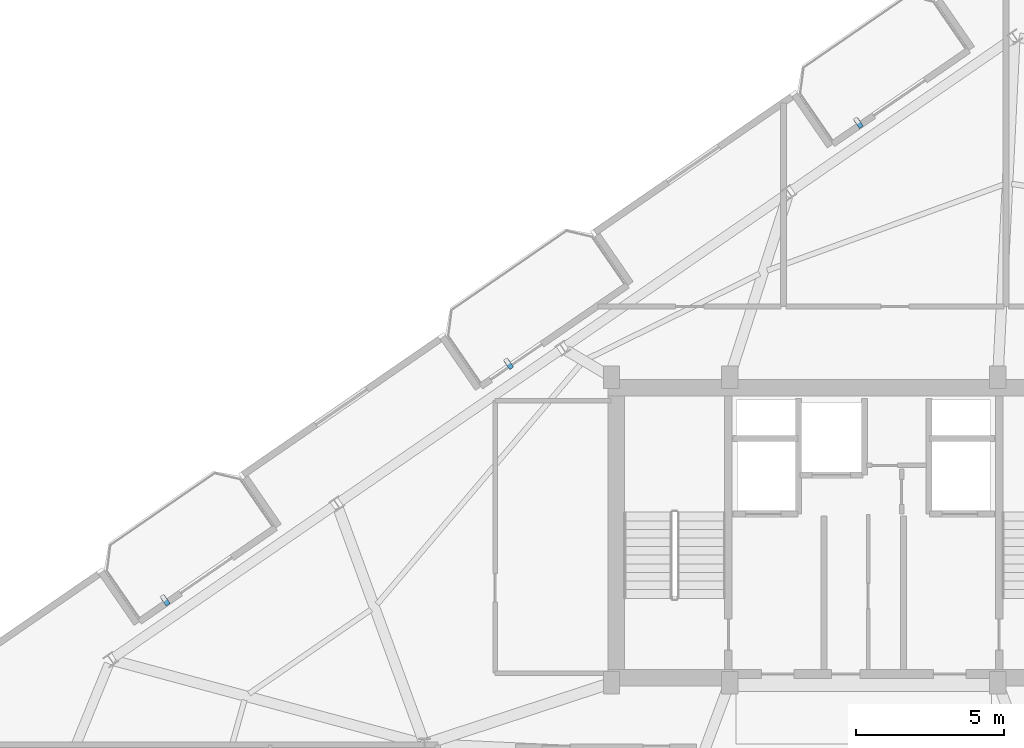
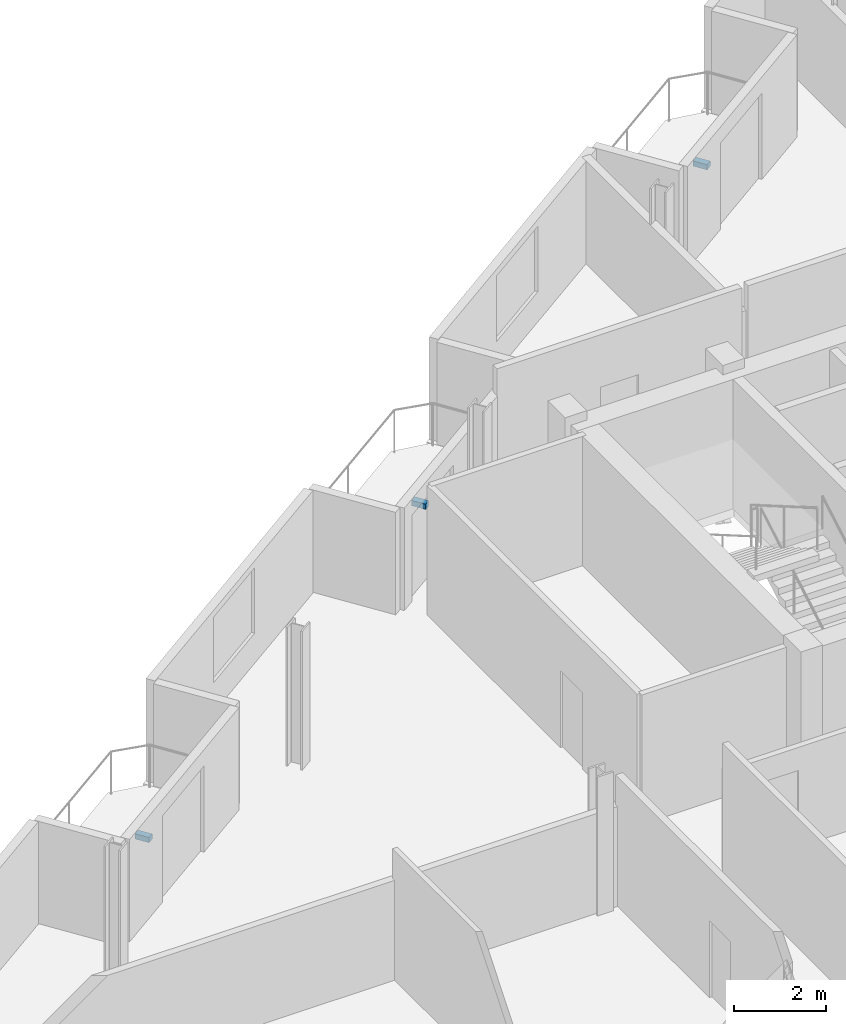
# One storey, part 18 of 21: 3 discrete accessories.
"""IFC4 building model written with IfcOpenShell, lengths in metres."""

from ifc_helpers import new_model, si_unit, direction, frame, origin, origin_2d, place, context, subcontext, project, spatial, rectangle, extrude, source, transform, mapped, material, type_object, element, save


model = new_model("IFC4")

# Units and contexts
model_context = context("Model", 3, precision=1e-05, world=origin(), true_north=direction((0.0, 1.0)))
body_context = subcontext(model_context, "Body", "Model", "MODEL_VIEW")
ifc_project = project(units=[si_unit("LENGTHUNIT", "METRE"), si_unit("AREAUNIT", "SQUARE_METRE"), si_unit("VOLUMEUNIT", "CUBIC_METRE"), si_unit("PLANEANGLEUNIT", "RADIAN"), si_unit("MASSUNIT", "GRAM", prefix="KILO")], contexts=[model_context])

# Site, building, storey
site_placement = place(None, origin())
site = spatial("IfcSite", under=ifc_project, at=site_placement, CompositionType="ELEMENT")
building_placement = place(site_placement, origin())
building = spatial("IfcBuilding", under=site, at=building_placement, Name="Varnelok Gate Tower", CompositionType="ELEMENT")
storey_placement = place(building_placement, frame((0.0, 0.0, 265.60009765625)))
storey = spatial("IfcBuildingStorey", under=building, at=storey_placement, Name="L68", CompositionType="ELEMENT", Elevation=265.60009765625)

# Discrete accessories
ifc_material = material(Name="Structural Steel ASTM A500 Grade C", Category="steel")
discrete_accessory_type = type_object("IfcDiscreteAccessoryType", Name="ACC-BAGUETTE-BRK", PredefinedType="BRACKET", material=ifc_material)
shared_shape = source(origin(), body_context, "Body", "SweptSolid", [
    extrude(rectangle(XDim=0.159912109375, YDim=0.340087890625, at=origin_2d()), origin(), (0.0, 0.0, 1.0), 0.139892578125),
])
for number, where, z_axis, x_axis, name in (
    (1, (15.66650390625, 31.517333984375, 1.97998046875), (0.0, 0.0, 1.0), (0.823532597628, 0.567268949127, 0.0), "L68 Terracotta Baguette Bracket 4.1"),
    (2, (27.240234375, 39.489501953125, 1.97998046875), (0.0, 0.0, 1.0), (0.823532597628, 0.567268949127, 0.0), "L68 Terracotta Baguette Bracket 5.1"),
    (3, (39.027587890625, 47.609130859375, 1.97998046875), (0.0, 0.0, 1.0), (0.823532597628, 0.567268949127, 0.0), "L68 Terracotta Baguette Bracket 6.1"),
):
    element("IfcDiscreteAccessory", number, at=place(storey_placement, frame(where, z_axis=z_axis, x_axis=x_axis)), inside=storey, type_object=discrete_accessory_type, Name=name, PredefinedType="BRACKET", context=body_context, shape_type="MappedRepresentation", body=[
        mapped(shared_shape, transform((0.0, 0.0, 0.0), scale=1.0)),
    ])

save(model, "model.ifc")
